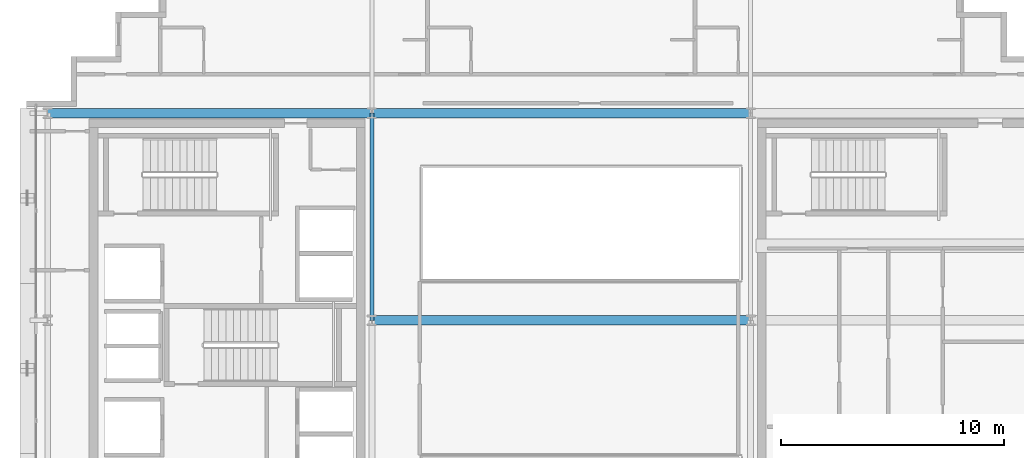
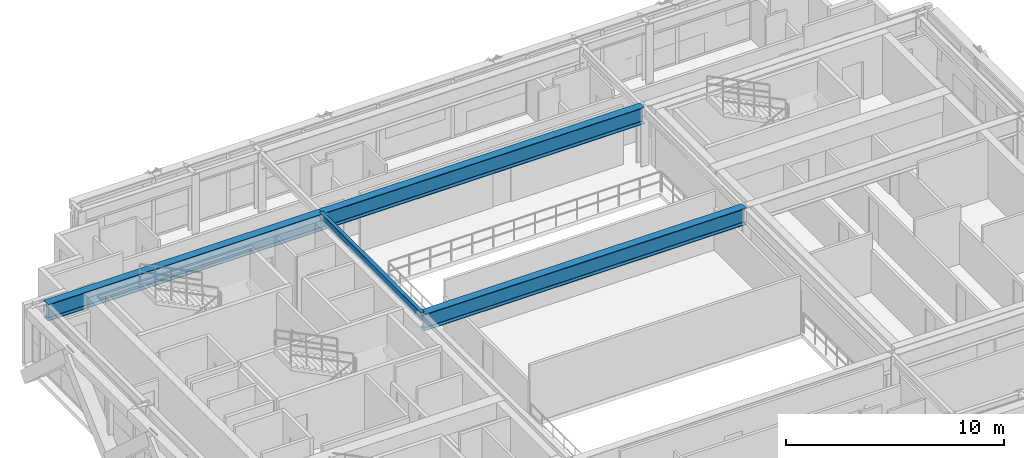
# One storey, part 8 of 28: 4 beams.
"""IFC4 building model written with IfcOpenShell, lengths in metres."""

from ifc_helpers import new_model, si_unit, direction, frame, origin, origin_2d, place, context, subcontext, project, spatial, i_section, extrude, source, transform, mapped, material, material_profile, profile_set, type_object, element, save


model = new_model("IFC4")

# Units and contexts
model_context = context("Model", 3, precision=1e-05, world=origin(), true_north=direction((0.0, 1.0)))
body_context = subcontext(model_context, "Body", "Model", "MODEL_VIEW")
ifc_project = project(units=[si_unit("LENGTHUNIT", "METRE"), si_unit("AREAUNIT", "SQUARE_METRE"), si_unit("VOLUMEUNIT", "CUBIC_METRE"), si_unit("PLANEANGLEUNIT", "RADIAN"), si_unit("MASSUNIT", "GRAM", prefix="KILO")], contexts=[model_context])

# Site, building, storey
site_placement = place(None, origin())
site = spatial("IfcSite", under=ifc_project, at=site_placement, CompositionType="ELEMENT")
building_placement = place(site_placement, origin())
building = spatial("IfcBuilding", under=site, at=building_placement, Name="Ocotamira Hotel", CompositionType="ELEMENT")
storey_placement = place(building_placement, frame((0.0, 0.0, 243.60009765625)))
storey = spatial("IfcBuildingStorey", under=building, at=storey_placement, Name="L61", CompositionType="ELEMENT", Elevation=243.60009765625)

# Beams
ifc_material = material(Name="Steel ASTM A992 Grade 50", Category="steel")
ifc_material_profile_1 = material_profile(ifc_material, i_section(OverallWidth=0.41796875, OverallDepth=0.927001953125, WebThickness=0.019287109375, FlangeThickness=0.031982421875, FilletRadius=0.02392578125, at=origin_2d()), Name="W36X231")
ifc_profile_set_1 = profile_set([ifc_material_profile_1], Name="Steel ASTM A992 Grade 50")
beam_type_1 = type_object("IfcBeamType", Name="BM-GIRD-W36X231", PredefinedType="BEAM", material=ifc_profile_set_1)
shared_shape_1 = source(origin(), body_context, "Body", "SweptSolid", [
    extrude(i_section(OverallWidth=0.41796875, OverallDepth=0.927001953125, WebThickness=0.019287109375, FlangeThickness=0.031982421875, FilletRadius=0.02392578125, at=origin_2d()), origin(), (0.0, 0.0, 1.0), 14.550048828125),
])
beam_1_placement = place(storey_placement, frame((8.949951171875, 37.449951171875, 2.81640625), z_axis=(1.0, 0.0, 0.0), x_axis=(0.0, 1.0, 0.0)))
element("IfcBeam", 1, at=beam_1_placement, inside=storey, type_object=beam_type_1, Name="L61 Girder Y37.45 X8.95-23.5", PredefinedType="BEAM", context=body_context, shape_type="MappedRepresentation", body=[
    mapped(shared_shape_1, transform((0.0, 0.0, 0.0), scale=1.0)),
])
shared_shape_2 = source(origin(), body_context, "Body", "SweptSolid", [
    extrude(i_section(OverallWidth=0.41796875, OverallDepth=0.927001953125, WebThickness=0.019287109375, FlangeThickness=0.031982421875, FilletRadius=0.02392578125, at=origin_2d()), origin(), (0.0, 0.0, 1.0), 17.0),
])
for number, where, z_axis, x_axis, name in (
    (2, (23.5, 28.14990234375, 2.81640625), (1.0, 0.0, 0.0), (0.0, 1.0, 0.0), "L61 Girder Y28.15 X23.5-40.5"),
    (3, (23.5, 37.449951171875, 2.81640625), (1.0, 0.0, 0.0), (0.0, 1.0, 0.0), "L61 Girder Y37.45 X23.5-40.5"),
):
    element("IfcBeam", number, at=place(storey_placement, frame(where, z_axis=z_axis, x_axis=x_axis)), inside=storey, type_object=beam_type_1, Name=name, PredefinedType="BEAM", context=body_context, shape_type="MappedRepresentation", body=[
        mapped(shared_shape_2, transform((0.0, 0.0, 0.0), scale=1.0)),
    ])
ifc_material_profile_2 = material_profile(ifc_material, i_section(OverallWidth=0.18994140625, OverallDepth=0.45703125, WebThickness=0.009033203125, FlangeThickness=0.014404296875, FilletRadius=0.010009765625, at=origin_2d()), Name="W18X50")
ifc_profile_set_2 = profile_set([ifc_material_profile_2], Name="Steel ASTM A992 Grade 50")
beam_type_2 = type_object("IfcBeamType", Name="BM-SEC-W18X50", PredefinedType="JOIST", material=ifc_profile_set_2)
shared_shape_3 = source(origin(), body_context, "Body", "SweptSolid", [
    extrude(i_section(OverallWidth=0.18994140625, OverallDepth=0.45703125, WebThickness=0.009033203125, FlangeThickness=0.014404296875, FilletRadius=0.010009765625, at=origin_2d()), origin(), (0.0, 0.0, 1.0), 9.300048828125),
])
beam_2_placement = place(storey_placement, frame((23.5, 28.14990234375, 3.051513671875), z_axis=(0.0, 1.0, 0.0), x_axis=(-1.0, 0.0, 0.0)))
element("IfcBeam", 4, at=beam_2_placement, inside=storey, type_object=beam_type_2, Name="L61 Beam X23.5 Y28.15-37.45", PredefinedType="JOIST", context=body_context, shape_type="MappedRepresentation", body=[
    mapped(shared_shape_3, transform((0.0, 0.0, 0.0), scale=1.0)),
])

save(model, "model.ifc")
